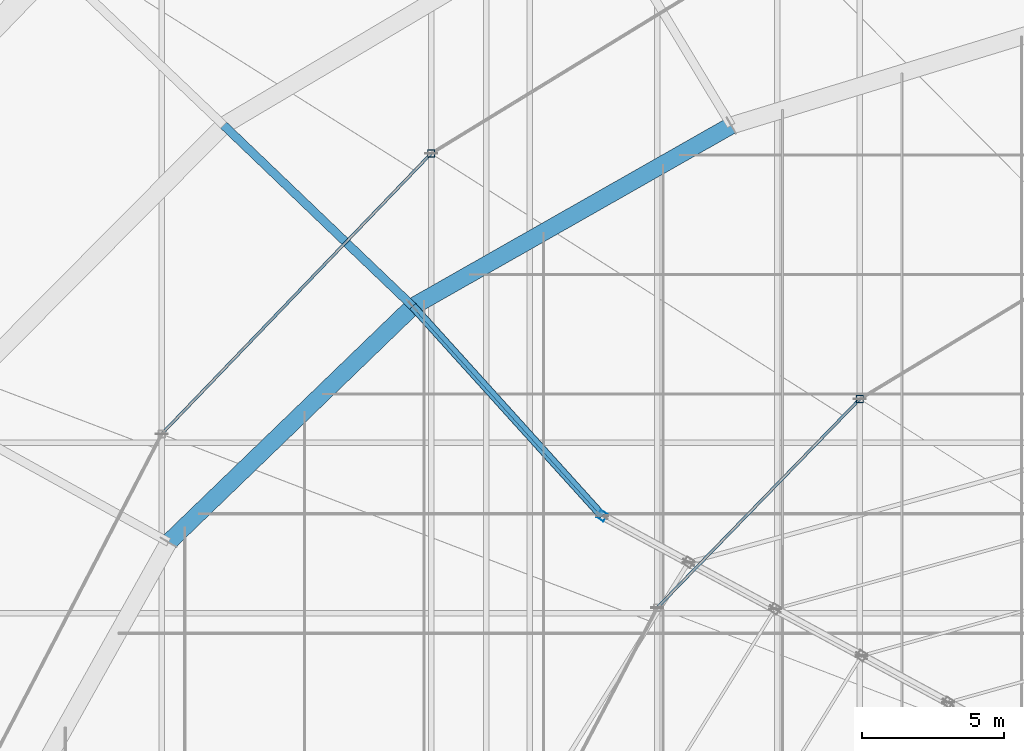
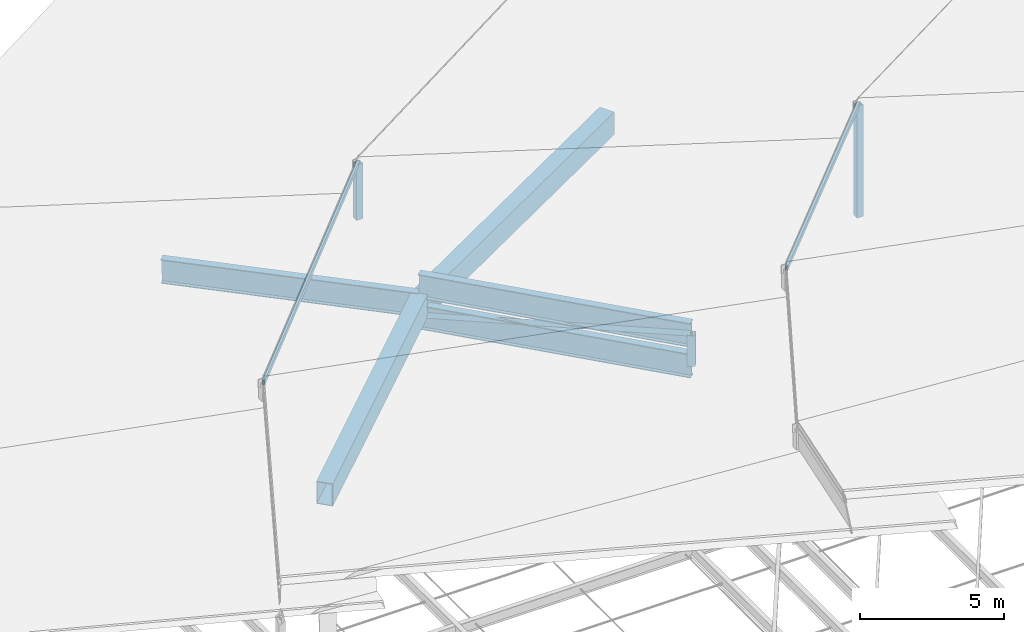
# One storey, part 98 of 184: 6 members, 5 beams.
"""IFC4 building model written with IfcOpenShell, lengths in metres."""

from ifc_helpers import new_model, si_unit, direction, frame, origin, origin_2d, place, context, subcontext, project, spatial, hollow_rectangle, i_section, extrude, material, material_profile, profile_set, type_object, element, save


model = new_model("IFC4")

# Units and contexts
model_context = context("Model", 3, precision=1e-05, world=origin(), true_north=direction((0.0, 1.0)))
body_context = subcontext(model_context, "Body", "Model", "MODEL_VIEW")
ifc_project = project(units=[si_unit("LENGTHUNIT", "METRE"), si_unit("AREAUNIT", "SQUARE_METRE"), si_unit("VOLUMEUNIT", "CUBIC_METRE"), si_unit("PLANEANGLEUNIT", "RADIAN"), si_unit("MASSUNIT", "GRAM", prefix="KILO")], contexts=[model_context])

# Site, building, storey
site_placement = place(None, origin())
site = spatial("IfcSite", under=ifc_project, at=site_placement, CompositionType="ELEMENT")
building_placement = place(site_placement, origin())
building = spatial("IfcBuilding", under=site, at=building_placement, Name="Kalgoora Escarpment Arena", CompositionType="ELEMENT")
storey_placement = place(building_placement, frame((0.0, 0.0, 27.60009765625)))
storey = spatial("IfcBuildingStorey", under=building, at=storey_placement, Name="Roof Level", CompositionType="ELEMENT", Elevation=27.60009765625)

# Beams
ifc_material_1 = material(Name="Structural steel Grade 350 (350 MPa)", Category="steel")
ifc_material_profile_1 = material_profile(ifc_material_1, hollow_rectangle(XDim=0.60009765625, YDim=0.949951171875, WallThickness=0.02490234375, at=origin_2d()))
ifc_profile_set_1 = profile_set([ifc_material_profile_1], Name="Structural steel Grade 350 (350 MPa)")
beam_type_1 = type_object("IfcBeamType", Name="BM-RING-BOX950", PredefinedType="USERDEFINED", material=ifc_profile_set_1)
beam_1_placement = place(storey_placement, frame((65.39990234375, 98.64111328125, -1.25), z_axis=(-0.869369098708, -0.494163303182, 0.0), x_axis=(0.494163303182, -0.869369098708, 0.0)))
element("IfcBeam", 1, at=beam_1_placement, inside=storey, type_object=beam_type_1, Name="Bowl compression RING BEAM chord 09", ObjectType="GIRDER", PredefinedType="USERDEFINED", context=body_context, shape_type="SweptSolid", body=[
    extrude(hollow_rectangle(XDim=0.60009765625, YDim=0.949951171875, WallThickness=0.02490234375, at=origin_2d()), origin(), (0.0, 0.0, 1.0), 12.864013671875),
])
beam_2_placement = place(storey_placement, frame((54.21630859375, 92.2841796875, -1.25), z_axis=(-0.719471992915, -0.694521454968, 0.0), x_axis=(0.694521454968, -0.719471992915, 0.0)))
element("IfcBeam", 2, at=beam_2_placement, inside=storey, type_object=beam_type_1, Name="Bowl compression RING BEAM chord 10", ObjectType="GIRDER", PredefinedType="USERDEFINED", context=body_context, shape_type="SweptSolid", body=[
    extrude(hollow_rectangle(XDim=0.60009765625, YDim=0.949951171875, WallThickness=0.02490234375, at=origin_2d()), origin(), (0.0, 0.0, 1.0), 11.927978515625),
])
ifc_material_2 = material(Name="Structural steel Grade 350 (350 MPa)", Category="steel")
ifc_material_profile_2 = material_profile(ifc_material_2, i_section(OverallWidth=0.300048828125, OverallDepth=1.010009765625, WebThickness=0.01611328125, FlangeThickness=0.030029296875, at=origin_2d()))
ifc_profile_set_2 = profile_set([ifc_material_profile_2], Name="Structural steel Grade 350 (350 MPa)")
beam_type_2 = type_object("IfcBeamType", Name="BM-TRUSS-CHORD", PredefinedType="USERDEFINED", material=ifc_profile_set_2)
beam_3_placement = place(storey_placement, frame((47.5693359375, 98.648193359375, -1.300048828125), z_axis=(0.722271412013, -0.691524605045, 0.01085025371), x_axis=(0.691565314546, 0.722313931554, 0.0)))
element("IfcBeam", 3, at=beam_3_placement, inside=storey, type_object=beam_type_2, Name="Inner radial petal support girder R10", ObjectType="GIRDER", PredefinedType="USERDEFINED", context=body_context, shape_type="SweptSolid", body=[
    extrude(i_section(OverallWidth=0.300048828125, OverallDepth=1.010009765625, WebThickness=0.01611328125, FlangeThickness=0.030029296875, at=origin_2d()), origin(), (0.0, 0.0, 1.0), 9.202880859375),
])
for number, where, z_axis, x_axis, name in (
    (4, (54.208251953125, 92.293212890625, -1.7001953125), (0.670522582285, -0.741872022721, 0.005036720141), (0.741881433009, 0.670531087539, 0.0), "Radial ROOF TRUSS spine 4 bottom chord 1"),
    (5, (54.208251953125, 92.293212890625, -0.400146484375), (0.670522582285, -0.741872022721, 0.005036720141), (0.741881433009, 0.670531087539, 0.0), "Radial ROOF TRUSS spine 4 top chord 1"),
):
    element("IfcBeam", number, at=place(storey_placement, frame(where, z_axis=z_axis, x_axis=x_axis)), inside=storey, type_object=beam_type_2, Name=name, ObjectType="GIRDER", PredefinedType="USERDEFINED", context=body_context, shape_type="SweptSolid", body=[
        extrude(i_section(OverallWidth=0.300048828125, OverallDepth=1.010009765625, WebThickness=0.01611328125, FlangeThickness=0.030029296875, at=origin_2d()), origin(), (0.0, 0.0, 1.0), 9.936767578125),
    ])

# Members
ifc_material_3 = material(Name="Structural steel C450 (450 MPa)", Category="steel")
ifc_material_profile_3 = material_profile(ifc_material_3, hollow_rectangle(XDim=0.25, YDim=0.25, WallThickness=0.012451171875, at=origin_2d()))
ifc_profile_set_3 = profile_set([ifc_material_profile_3], Name="Structural steel C450 (450 MPa)")
member_type_1 = type_object("IfcMemberType", Name="MEM-PETAL-POST", PredefinedType="POST", material=ifc_profile_set_3)
member_1_placement = place(storey_placement, frame((54.8564453125, 97.658203125, -1.080078125), z_axis=(0.0, 0.0, 1.0), x_axis=(1.0, 0.0, 0.0)))
element("IfcMember", 6, at=member_1_placement, inside=storey, type_object=member_type_1, Name="Petal RP2 vertical support post S10", PredefinedType="POST", context=body_context, shape_type="SweptSolid", body=[
    extrude(hollow_rectangle(XDim=0.25, YDim=0.25, WallThickness=0.012451171875, at=origin_2d()), origin(), (0.0, 0.0, 1.0), 2.344970703125),
])
member_2_placement = place(storey_placement, frame((69.921630859375, 89.031494140625, -1.02001953125), z_axis=(0.0, 0.0, 1.0), x_axis=(1.0, 0.0, 0.0)))
element("IfcMember", 7, at=member_2_placement, inside=storey, type_object=member_type_1, Name="Petal RP3 vertical support post S10", PredefinedType="POST", context=body_context, shape_type="SweptSolid", body=[
    extrude(hollow_rectangle(XDim=0.25, YDim=0.25, WallThickness=0.012451171875, at=origin_2d()), origin(), (0.0, 0.0, 1.0), 4.724853515625),
])
ifc_material_4 = material(Name="Structural steel C350 (350 MPa)", Category="steel")
ifc_material_profile_4 = material_profile(ifc_material_4, hollow_rectangle(XDim=0.10009765625, YDim=0.199951171875, WallThickness=0.009033203125, at=origin_2d()))
ifc_profile_set_4 = profile_set([ifc_material_profile_4], Name="Structural steel C350 (350 MPa)")
member_type_2 = type_object("IfcMemberType", Name="MEM-PURLIN-RHS", PredefinedType="PURLIN", material=ifc_profile_set_4)
member_3_placement = place(storey_placement, frame((54.8564453125, 97.658203125, 1.244873046875), z_axis=(-0.692821359996, -0.721109258804, 0.0), x_axis=(0.721109258804, -0.692821359996, 0.0)))
element("IfcMember", 8, at=member_3_placement, inside=storey, type_object=member_type_2, Name="Petal RP2 eave support ring purlin S10", PredefinedType="PURLIN", context=body_context, shape_type="SweptSolid", body=[
    extrude(hollow_rectangle(XDim=0.10009765625, YDim=0.199951171875, WallThickness=0.009033203125, at=origin_2d()), origin(), (0.0, 0.0, 1.0), 13.6708984375),
])
member_4_placement = place(storey_placement, frame((69.921630859375, 89.031494140625, 3.684814453125), z_axis=(-0.696662765514, -0.717398767176, 0.0), x_axis=(0.717398767176, -0.696662765514, 0.0)))
element("IfcMember", 9, at=member_4_placement, inside=storey, type_object=member_type_2, Name="Petal RP3 eave support ring purlin S10", PredefinedType="PURLIN", context=body_context, shape_type="SweptSolid", body=[
    extrude(hollow_rectangle(XDim=0.10009765625, YDim=0.199951171875, WallThickness=0.009033203125, at=origin_2d()), origin(), (0.0, 0.0, 1.0), 10.2197265625),
])
ifc_material_5 = material(Name="Structural steel C350 (350 MPa)", Category="steel")
ifc_material_profile_5 = material_profile(ifc_material_5, hollow_rectangle(XDim=0.199951171875, YDim=0.199951171875, WallThickness=0.009033203125, at=origin_2d()))
ifc_profile_set_5 = profile_set([ifc_material_profile_5], Name="Structural steel C350 (350 MPa)")
member_type_3 = type_object("IfcMemberType", Name="MEM-TRUSS-DIAG", PredefinedType="BRACE", material=ifc_profile_set_5)
member_5_placement = place(storey_placement, frame((54.21630859375, 92.2841796875, -1.7001953125), z_axis=(0.664408647738, -0.735083668632, 0.134956099981), x_axis=(0.67335044783, 0.51041409162, -0.534861317991)))
element("IfcMember", 10, at=member_5_placement, inside=storey, type_object=member_type_3, Name="Radial ROOF TRUSS spine 4 web diagonal 1", PredefinedType="BRACE", context=body_context, shape_type="SweptSolid", body=[
    extrude(hollow_rectangle(XDim=0.199951171875, YDim=0.199951171875, WallThickness=0.009033203125, at=origin_2d()), origin(), (0.0, 0.0, 1.0), 10.00390625),
])
ifc_material_6 = material(Name="Structural steel C450 (450 MPa)", Category="steel")
ifc_material_profile_6 = material_profile(ifc_material_6, hollow_rectangle(XDim=0.300048828125, YDim=0.300048828125, WallThickness=0.012451171875, at=origin_2d()))
ifc_profile_set_6 = profile_set([ifc_material_profile_6], Name="Structural steel C450 (450 MPa)")
member_type_4 = type_object("IfcMemberType", Name="MEM-TRUSS-POST", PredefinedType="POST", material=ifc_profile_set_6)
member_6_placement = place(storey_placement, frame((60.863037109375, 84.930419921875, -1.650146484375), z_axis=(0.0, 0.0, 1.0), x_axis=(0.84179353575, -0.539799632428, 0.0)))
element("IfcMember", 11, at=member_6_placement, inside=storey, type_object=member_type_4, Name="Radial ROOF TRUSS spine 4 post 1", PredefinedType="POST", context=body_context, shape_type="SweptSolid", body=[
    extrude(hollow_rectangle(XDim=0.300048828125, YDim=0.300048828125, WallThickness=0.012451171875, at=origin_2d()), origin(), (0.0, 0.0, 1.0), 1.300048828125),
])

save(model, "model.ifc")
